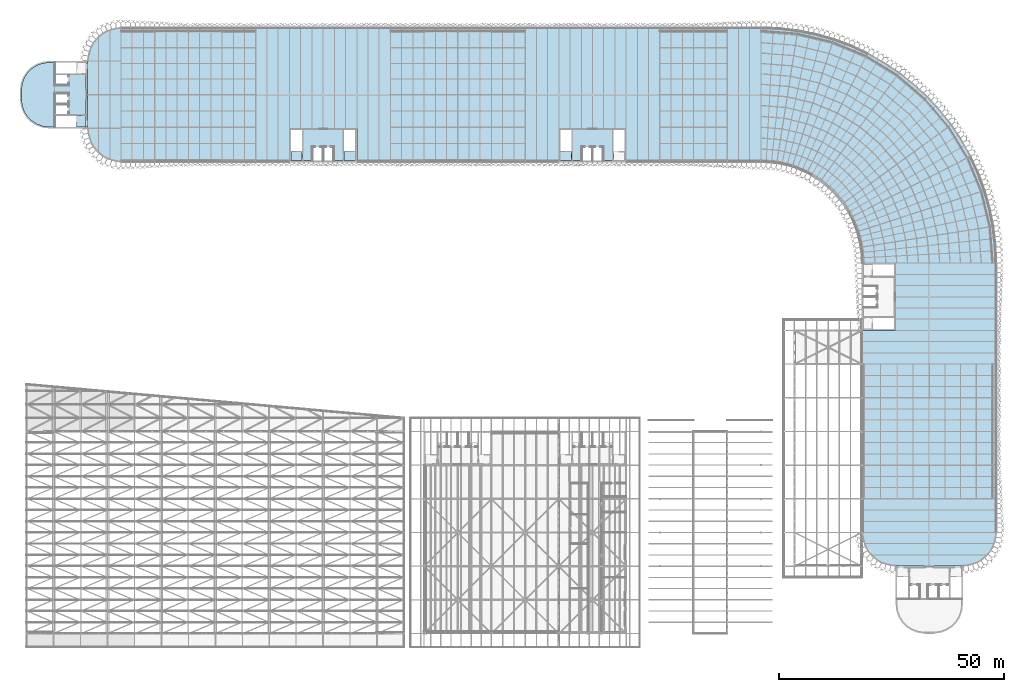
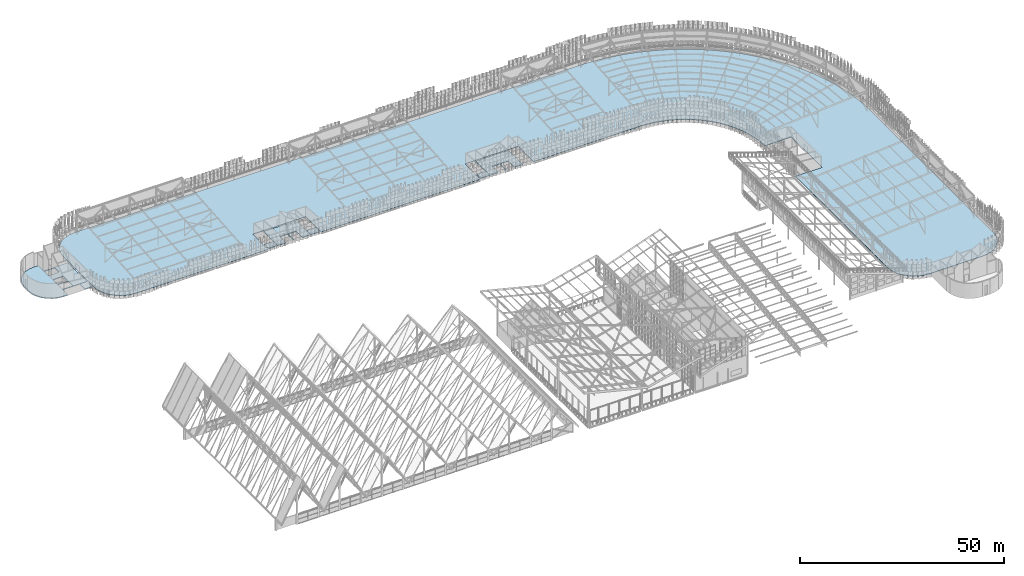
# One storey, part 110 of 483: 8 slabs.
"""IFC4 building model written with IfcOpenShell, lengths in metres."""

from ifc_helpers import new_model, si_unit, direction, frame, origin, place, context, subcontext, project, spatial, polyline, outline, extrude, material, layer, layer_set, type_object, element, save


model = new_model("IFC4")

# Units and contexts
model_context = context("Model", 3, precision=1e-05, world=origin(), true_north=direction((0.0, 1.0)))
body_context = subcontext(model_context, "Body", "Model", "MODEL_VIEW")
ifc_project = project(units=[si_unit("LENGTHUNIT", "METRE"), si_unit("AREAUNIT", "SQUARE_METRE"), si_unit("VOLUMEUNIT", "CUBIC_METRE"), si_unit("PLANEANGLEUNIT", "RADIAN"), si_unit("MASSUNIT", "GRAM", prefix="KILO")], contexts=[model_context])

# Site, building, storey
site_placement = place(None, origin())
site = spatial("IfcSite", under=ifc_project, at=site_placement, CompositionType="ELEMENT")
building_placement = place(site_placement, origin())
building = spatial("IfcBuilding", under=site, at=building_placement, Name="Parallax Yard Mobility Hub", CompositionType="ELEMENT")
storey_placement = place(building_placement, frame((0.0, 0.0, 13.199951171875)))
storey = spatial("IfcBuildingStorey", under=building, at=storey_placement, Name="L04", CompositionType="ELEMENT", Elevation=13.199951171875)

# Slabs
ifc_material_1 = material(Name="Composite slab: Concrete fc' 28 MPa on 76 mm steel deck", Category="concrete")
ifc_layer_1 = layer(ifc_material_1, 0.139892578125)
ifc_layer_set_1 = layer_set([ifc_layer_1], Name="Composite floor slab 140")
slab_type_1 = type_object("IfcSlabType", Name="Composite floor slab 140", PredefinedType="FLOOR", material=ifc_layer_set_1)
slab_1_placement = place(storey_placement, frame((0.0, 0.0, -0.139892578125)))
element("IfcSlab", 1, at=slab_1_placement, inside=storey, type_object=slab_type_1, Name="Composite floor slab level L04 of the ramped parking decks", PredefinedType="FLOOR", context=body_context, shape_type="SweptSolid", body=[
    extrude(outline(polyline([(25.833251953125, 141.236083984375), (24.69677734375, 140.30322265625), (23.763916015625, 139.166748046875), (23.07080078125, 137.8701171875), (22.64404296875, 136.463134765625), (22.5, 135.0), (22.5, 120.0), (22.64404296875, 118.536865234375), (23.07080078125, 117.1298828125), (23.763916015625, 115.833251953125), (24.69677734375, 114.69677734375), (25.833251953125, 113.763916015625), (27.1298828125, 113.07080078125), (28.536865234375, 112.64404296875), (30.0, 112.5), (67.5, 112.5), (67.5, 120.0), (82.5, 120.0), (82.5, 112.5), (127.5, 112.5), (127.5, 120.0), (142.5, 120.0), (142.5, 112.5), (172.5, 112.5), (173.9716796875, 112.451904296875), (175.436767578125, 112.3076171875), (176.889404296875, 112.067626953125), (178.323486328125, 111.7333984375), (179.732421875, 111.305908203125), (181.1103515625, 110.787353515625), (182.451416015625, 110.1796875), (183.75, 109.485595703125), (185.000244140625, 108.7080078125), (186.197021484375, 107.8505859375), (187.335205078125, 106.91650390625), (188.409912109375, 105.909912109375), (189.41650390625, 104.835205078125), (190.3505859375, 103.697021484375), (191.2080078125, 102.500244140625), (191.985595703125, 101.25), (192.6796875, 99.951416015625), (193.287353515625, 98.6103515625), (193.805908203125, 97.232421875), (194.2333984375, 95.823486328125), (194.567626953125, 94.389404296875), (194.8076171875, 92.936767578125), (194.951904296875, 91.4716796875), (195.0, 90.0), (202.5, 90.0), (202.5, 75.0), (195.0, 75.0), (195.0, 30.0), (195.14404296875, 28.536865234375), (195.57080078125, 27.1298828125), (196.263916015625, 25.833251953125), (197.19677734375, 24.69677734375), (198.333251953125, 23.763916015625), (199.6298828125, 23.07080078125), (201.036865234375, 22.64404296875), (202.5, 22.5), (217.5, 22.5), (218.963134765625, 22.64404296875), (220.3701171875, 23.07080078125), (221.666748046875, 23.763916015625), (222.80322265625, 24.69677734375), (223.736083984375, 25.833251953125), (224.42919921875, 27.1298828125), (224.85595703125, 28.536865234375), (225.0, 30.0), (225.0, 90.0), (224.978515625, 91.499267578125), (224.914306640625, 92.997314453125), (224.807373046875, 94.49267578125), (224.65771484375, 95.984619140625), (224.465576171875, 97.471435546875), (224.231201171875, 98.952392578125), (223.954345703125, 100.426025390625), (223.635498046875, 101.89111328125), (223.275146484375, 103.346435546875), (222.873291015625, 104.791015625), (222.430419921875, 106.223388671875), (221.94677734375, 107.642578125), (221.4228515625, 109.04736328125), (220.85888671875, 110.436767578125), (220.255615234375, 111.809326171875), (219.61328125, 113.1640625), (218.9326171875, 114.5), (218.214111328125, 115.81591796875), (217.458251953125, 117.11083984375), (216.665771484375, 118.383544921875), (215.83740234375, 119.63330078125), (214.973388671875, 120.858642578125), (214.074951171875, 122.05908203125), (213.142333984375, 123.233154296875), (212.177001953125, 124.380126953125), (211.178955078125, 125.499267578125), (210.1494140625, 126.589111328125), (209.089111328125, 127.6494140625), (207.999267578125, 128.678955078125), (206.880126953125, 129.677001953125), (205.733154296875, 130.642333984375), (204.55908203125, 131.574951171875), (203.358642578125, 132.473388671875), (202.13330078125, 133.33740234375), (200.883544921875, 134.165771484375), (199.61083984375, 134.958251953125), (198.31591796875, 135.714111328125), (197.0, 136.4326171875), (195.6640625, 137.11328125), (194.309326171875, 137.755615234375), (192.936767578125, 138.35888671875), (191.54736328125, 138.9228515625), (190.142578125, 139.44677734375), (188.723388671875, 139.930419921875), (187.291015625, 140.373291015625), (185.846435546875, 140.775146484375), (184.39111328125, 141.135498046875), (182.926025390625, 141.454345703125), (181.452392578125, 141.731201171875), (179.971435546875, 141.965576171875), (178.484619140625, 142.15771484375), (176.99267578125, 142.307373046875), (175.497314453125, 142.414306640625), (173.999267578125, 142.478515625), (172.5, 142.5), (30.0, 142.5), (28.536865234375, 142.35595703125), (27.1298828125, 141.92919921875), (25.833251953125, 141.236083984375)])), origin(), (0.0, 0.0, 1.0), 0.139892578125),
])
ifc_material_2 = material(Name="Concrete fc' 35 MPa", Category="concrete")
ifc_layer_2 = layer(ifc_material_2, 0.199951171875)
ifc_layer_set_2 = layer_set([ifc_layer_2], Name="Core floor slab 200")
slab_type_2 = type_object("IfcSlabType", Name="Core floor slab 200", PredefinedType="FLOOR", material=ifc_layer_set_2)
slab_2_placement = place(storey_placement, frame((0.0, 0.0, -0.199951171875)))
element("IfcSlab", 2, at=slab_2_placement, inside=storey, type_object=slab_type_2, Name="Core C-W floor slab level L04", PredefinedType="FLOOR", context=body_context, shape_type="SweptSolid", body=[
    extrude(outline(polyline([(11.309814453125, 120.9140625), (10.13427734375, 121.652587890625), (9.152587890625, 122.63427734375), (8.4140625, 123.809814453125), (7.95556640625, 125.120361328125), (7.800048828125, 126.5), (7.800048828125, 128.5), (7.95556640625, 129.879638671875), (8.4140625, 131.190185546875), (9.152587890625, 132.36572265625), (10.13427734375, 133.347412109375), (11.309814453125, 134.0859375), (12.620361328125, 134.54443359375), (14.0, 134.699951171875), (15.300048828125, 134.699951171875), (15.300048828125, 132.14990234375), (22.199951171875, 132.14990234375), (22.199951171875, 122.85009765625), (15.300048828125, 122.85009765625), (15.300048828125, 120.300048828125), (14.0, 120.300048828125), (12.620361328125, 120.45556640625), (11.309814453125, 120.9140625)]), holes=[polyline([(18.300048828125, 123.10009765625), (18.300048828125, 125.300048828125), (15.300048828125, 125.300048828125), (15.300048828125, 123.10009765625), (18.300048828125, 123.10009765625)]), polyline([(15.300048828125, 125.5), (18.300048828125, 125.5), (18.300048828125, 127.699951171875), (15.300048828125, 127.699951171875), (15.300048828125, 125.5)]), polyline([(15.300048828125, 131.89990234375), (15.300048828125, 129.699951171875), (18.300048828125, 129.699951171875), (18.300048828125, 131.89990234375), (15.300048828125, 131.89990234375)])]), origin(), (0.0, 0.0, 1.0), 0.199951171875),
])
slab_3_placement = place(storey_placement, frame((0.0, 0.0, -0.199951171875)))
element("IfcSlab", 3, at=slab_3_placement, inside=storey, type_object=slab_type_2, Name="Core C-N1 floor slab level L04", PredefinedType="FLOOR", context=body_context, shape_type="SweptSolid", body=[
    extrude(outline(polyline([(79.64990234375, 119.699951171875), (79.64990234375, 112.800048828125), (77.300048828125, 112.800048828125), (77.300048828125, 115.800048828125), (75.10009765625, 115.800048828125), (75.10009765625, 112.800048828125), (74.89990234375, 112.800048828125), (74.89990234375, 115.800048828125), (72.699951171875, 115.800048828125), (72.699951171875, 112.800048828125), (70.35009765625, 112.800048828125), (70.35009765625, 119.699951171875), (79.64990234375, 119.699951171875)])), origin(), (0.0, 0.0, 1.0), 0.199951171875),
])
slab_4_placement = place(storey_placement, frame((0.0, 0.0, -0.199951171875)))
element("IfcSlab", 4, at=slab_4_placement, inside=storey, type_object=slab_type_2, Name="Core C-N2 floor slab level L04", PredefinedType="FLOOR", context=body_context, shape_type="SweptSolid", body=[
    extrude(outline(polyline([(139.64990234375, 119.699951171875), (139.64990234375, 112.800048828125), (137.300048828125, 112.800048828125), (137.300048828125, 115.800048828125), (135.10009765625, 115.800048828125), (135.10009765625, 112.800048828125), (134.89990234375, 112.800048828125), (134.89990234375, 115.800048828125), (132.699951171875, 115.800048828125), (132.699951171875, 112.800048828125), (130.35009765625, 112.800048828125), (130.35009765625, 119.699951171875), (139.64990234375, 119.699951171875)])), origin(), (0.0, 0.0, 1.0), 0.199951171875),
])
ifc_layer_3 = layer(ifc_material_2, 0.199951171875)
ifc_layer_set_3 = layer_set([ifc_layer_3], Name="Stair floor landing slab 200")
slab_type_3 = type_object("IfcSlabType", Name="Stair floor landing slab 200", PredefinedType="FLOOR", material=ifc_layer_set_3)
slab_5_placement = place(storey_placement, frame((0.0, 0.0, -0.199951171875)))
element("IfcSlab", 5, at=slab_5_placement, inside=storey, type_object=slab_type_3, Name="Core C-W exit stair 1 floor landing level L04", PredefinedType="FLOOR", context=body_context, shape_type="SweptSolid", body=[
    extrude(outline(polyline([(20.10009765625, 120.300048828125), (20.10009765625, 122.85009765625), (22.199951171875, 122.85009765625), (22.199951171875, 120.300048828125), (20.10009765625, 120.300048828125)])), origin(), (0.0, 0.0, 1.0), 0.199951171875),
])
slab_6_placement = place(storey_placement, frame((0.0, 0.0, -0.199951171875)))
element("IfcSlab", 6, at=slab_6_placement, inside=storey, type_object=slab_type_3, Name="Core C-N1 exit stair 1 floor landing level L04", PredefinedType="FLOOR", context=body_context, shape_type="SweptSolid", body=[
    extrude(outline(polyline([(79.64990234375, 114.89990234375), (79.64990234375, 112.800048828125), (82.199951171875, 112.800048828125), (82.199951171875, 114.89990234375), (79.64990234375, 114.89990234375)])), origin(), (0.0, 0.0, 1.0), 0.199951171875),
])
slab_7_placement = place(storey_placement, frame((0.0, 0.0, -0.199951171875)))
element("IfcSlab", 7, at=slab_7_placement, inside=storey, type_object=slab_type_3, Name="Core C-N1 exit stair 2 floor landing level L04", PredefinedType="FLOOR", context=body_context, shape_type="SweptSolid", body=[
    extrude(outline(polyline([(67.800048828125, 114.89990234375), (67.800048828125, 112.800048828125), (70.35009765625, 112.800048828125), (70.35009765625, 114.89990234375), (67.800048828125, 114.89990234375)])), origin(), (0.0, 0.0, 1.0), 0.199951171875),
])
slab_8_placement = place(storey_placement, frame((0.0, 0.0, -0.199951171875)))
element("IfcSlab", 8, at=slab_8_placement, inside=storey, type_object=slab_type_3, Name="Core C-N2 exit stair 2 floor landing level L04", PredefinedType="FLOOR", context=body_context, shape_type="SweptSolid", body=[
    extrude(outline(polyline([(127.800048828125, 114.89990234375), (127.800048828125, 112.800048828125), (130.35009765625, 112.800048828125), (130.35009765625, 114.89990234375), (127.800048828125, 114.89990234375)])), origin(), (0.0, 0.0, 1.0), 0.199951171875),
])

save(model, "model.ifc")
